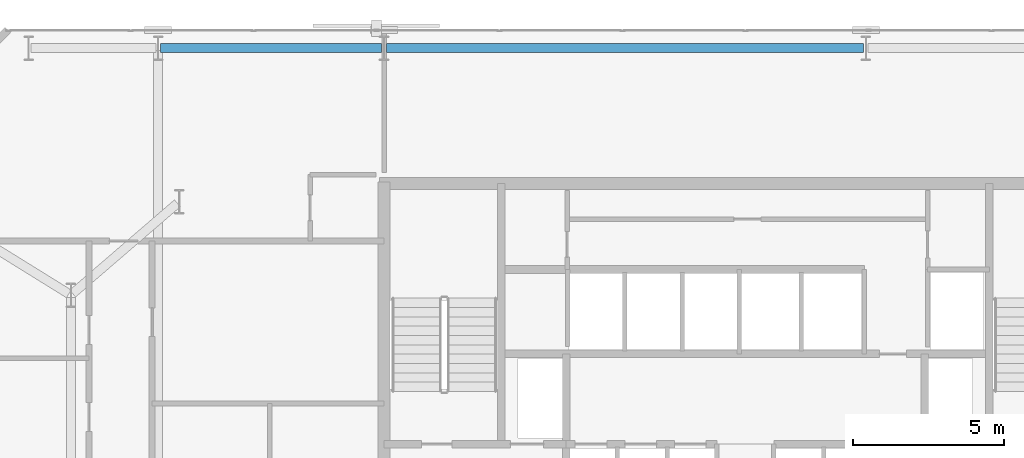
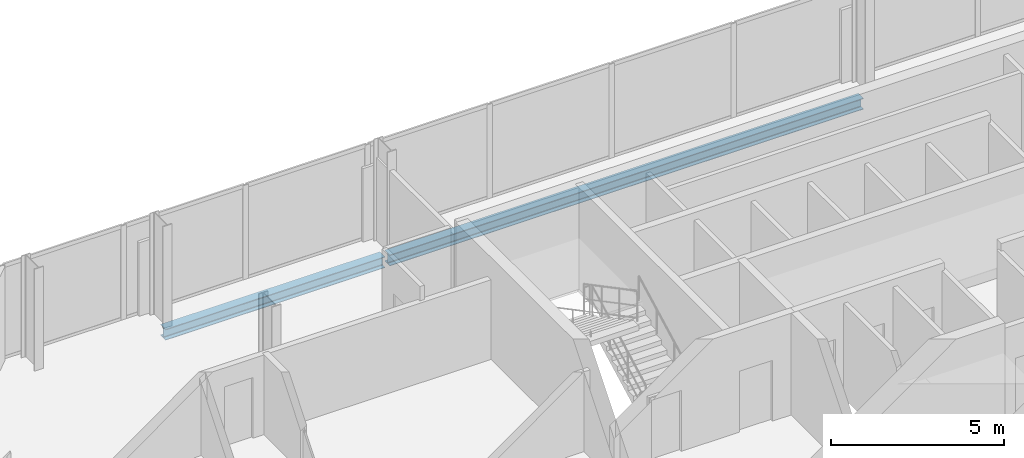
# One storey, part 21 of 33: 2 beams.
"""IFC4 building model written with IfcOpenShell, lengths in metres."""

from ifc_helpers import new_model, si_unit, direction, frame, origin, origin_2d, place, context, subcontext, project, spatial, i_section, extrude, material, material_profile, profile_set, type_object, element, save


model = new_model("IFC4")

# Units and contexts
model_context = context("Model", 3, precision=1e-05, world=origin(), true_north=direction((0.0, 1.0)))
body_context = subcontext(model_context, "Body", "Model", "MODEL_VIEW")
ifc_project = project(units=[si_unit("LENGTHUNIT", "METRE"), si_unit("AREAUNIT", "SQUARE_METRE"), si_unit("VOLUMEUNIT", "CUBIC_METRE"), si_unit("PLANEANGLEUNIT", "RADIAN"), si_unit("MASSUNIT", "GRAM", prefix="KILO")], contexts=[model_context])

# Site, building, storey
site_placement = place(None, origin())
site = spatial("IfcSite", under=ifc_project, at=site_placement, CompositionType="ELEMENT")
building_placement = place(site_placement, origin())
building = spatial("IfcBuilding", under=site, at=building_placement, Name="Catumbela Crestline Tower", CompositionType="ELEMENT")
storey_placement = place(building_placement, frame((0.0, 0.0, 43.8)))
storey = spatial("IfcBuildingStorey", under=building, at=storey_placement, Name="L10", CompositionType="ELEMENT", Elevation=43.8)

# Beams
ifc_material = material(Name="Structural steel S355J2", Category="steel")
ifc_material_profile = material_profile(ifc_material, i_section(OverallWidth=0.3, OverallDepth=0.39, WebThickness=0.011, FlangeThickness=0.019, FilletRadius=0.027, at=origin_2d()), Name="HEA 400")
ifc_profile_set = profile_set([ifc_material_profile], Name="Structural steel S355J2")
beam_type = type_object("IfcBeamType", Name="BS-HEA400", PredefinedType="SPANDREL", material=ifc_profile_set)
beam_1_placement = place(storey_placement, frame((8.58, 47.4, -0.455), z_axis=(1.0, 0.0, 0.0), x_axis=(0.0, 1.0, 0.0)))
element("IfcBeam", 1, at=beam_1_placement, inside=storey, type_object=beam_type, Name="L10 Spandrel SP-L10-NF20", PredefinedType="SPANDREL", context=body_context, shape_type="SweptSolid", body=[
    extrude(i_section(OverallWidth=0.3, OverallDepth=0.39, WebThickness=0.011, FlangeThickness=0.019, FilletRadius=0.027, at=origin_2d()), origin(), (0.0, 0.0, 1.0), 7.34),
])
beam_2_placement = place(storey_placement, frame((16.08, 47.4, -0.455), z_axis=(1.0, 0.0, 0.0), x_axis=(0.0, 1.0, 0.0)))
element("IfcBeam", 2, at=beam_2_placement, inside=storey, type_object=beam_type, Name="L10 Spandrel SP-L10-NF21", PredefinedType="SPANDREL", context=body_context, shape_type="SweptSolid", body=[
    extrude(i_section(OverallWidth=0.3, OverallDepth=0.39, WebThickness=0.011, FlangeThickness=0.019, FilletRadius=0.027, at=origin_2d()), origin(), (0.0, 0.0, 1.0), 15.84),
])

save(model, "model.ifc")
